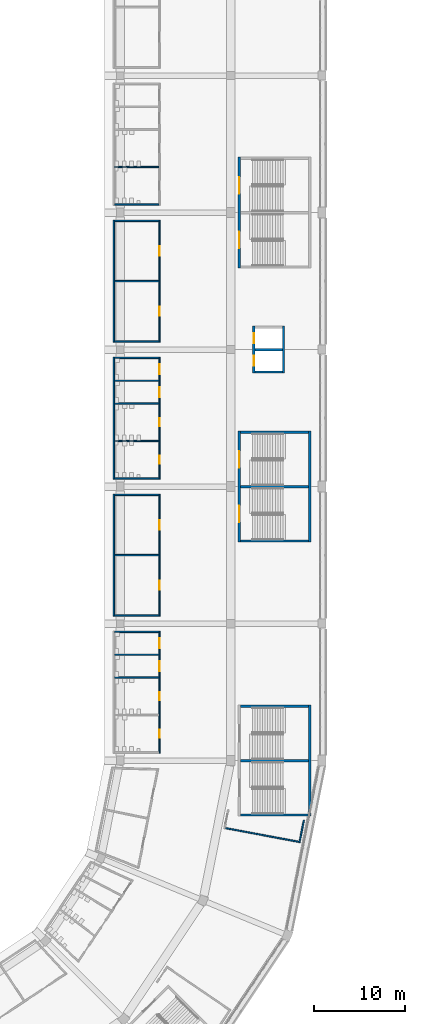
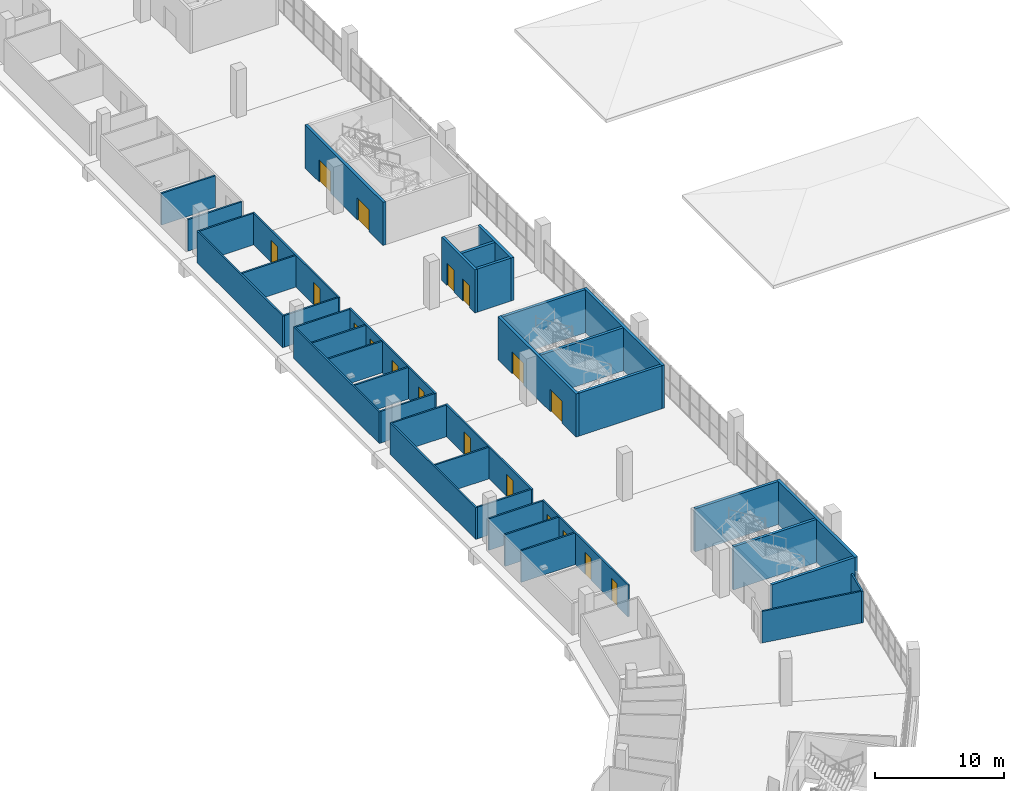
# One storey, part 82 of 199: 39 walls, 18 doors, 18 openings.
"""IFC4 building model written with IfcOpenShell, lengths in metres."""

import ifcopenshell
import ifcopenshell.guid

model = None  # the IFC model being written
_history = None  # IfcOwnerHistory: only IFC2X3 demands one
_inside = {}  # id of a spatial element -> (the spatial element, [elements in it])
_under = {}  # id of a project, library or spatial element -> (it, [spatial elements below it])
_declared = {}  # id of a project -> (the project, [libraries it declares])
_typed = {}  # id of a type object -> (the type object, [elements of that type])
_made_of = {}  # id of a material, layer set ... -> (it, [elements and type objects made of it])


def new_model(schema):
    """Start an empty IFC model of exactly this schema.

    Asked for "IFC4X3", IfcOpenShell would pick the latest addendum, in which some entities
    have other attributes; the version numbers below select the first issue.
    IFC2X3 requires an IfcOwnerHistory on every rooted entity: one is made here for all.
    """
    global model, _history
    if schema == "IFC4X3":
        model = ifcopenshell.file(schema_version=(4, 3, 0, 0))
    else:
        model = ifcopenshell.file(schema=schema)
    _inside.clear()
    _under.clear()
    _declared.clear()
    _typed.clear()
    _made_of.clear()
    _history = None
    if model.schema == "IFC2X3":
        org = make("IfcOrganization", Name="unknown")
        user = make(
            "IfcPersonAndOrganization",
            ThePerson=make("IfcPerson", FamilyName="unknown"),
            TheOrganization=org,
        )
        app = make(
            "IfcApplication",
            ApplicationDeveloper=org,
            Version="unknown",
            ApplicationFullName="unknown",
            ApplicationIdentifier="unknown",
        )
        _history = make(
            "IfcOwnerHistory",
            OwningUser=user,
            OwningApplication=app,
            ChangeAction="ADDED",
            CreationDate=0,
        )
    return model


def make(cls, **values):
    """One entity of the class cls with the attributes given. An attribute that is None is left unset."""
    return model.create_entity(
        cls, **{name: value for name, value in values.items() if value is not None}
    )


def rooted(cls, **values):
    """An entity with a GlobalId (a new one), such as an element, a storey or a relation."""
    return make(cls, GlobalId=ifcopenshell.guid.new(), OwnerHistory=_history, **values)


def si_unit(unit_type, name, prefix=None):
    """IfcSIUnit, for example si_unit("LENGTHUNIT", "METRE", prefix="MILLI")."""
    return make("IfcSIUnit", UnitType=unit_type, Prefix=prefix, Name=name)


def assignment(units):
    """IfcUnitAssignment: the units of a project."""
    return None if units is None else make("IfcUnitAssignment", Units=units)


def point(xyz):
    """IfcCartesianPoint."""
    return None if xyz is None else make("IfcCartesianPoint", Coordinates=xyz)


def direction(xyz):
    """IfcDirection."""
    return None if xyz is None else make("IfcDirection", DirectionRatios=xyz)


def frame(location, z_axis=None, x_axis=None):
    """IfcAxis2Placement3D, a coordinate frame: its origin and axes. An axis left out is left unset."""
    return make(
        "IfcAxis2Placement3D",
        Location=point(location),
        Axis=direction(z_axis),
        RefDirection=direction(x_axis),
    )


def frame_2d(location, x_axis=None):
    """IfcAxis2Placement2D, a coordinate frame in the plane: its origin and x axis."""
    return make(
        "IfcAxis2Placement2D", Location=point(location), RefDirection=direction(x_axis)
    )


def origin():
    """The frame at (0, 0, 0) with its axes left unset."""
    return frame((0.0, 0.0, 0.0))


def place(relative_to, where):
    """IfcLocalPlacement: puts the frame where relative to a parent placement (None: the world)."""
    return make(
        "IfcLocalPlacement", PlacementRelTo=relative_to, RelativePlacement=where
    )


def context(
    kind, dimensions, precision=None, world=None, true_north=None, identifier=None
):
    """IfcGeometricRepresentationContext, for example the 3D "Model" context."""
    return make(
        "IfcGeometricRepresentationContext",
        ContextIdentifier=identifier,
        ContextType=kind,
        CoordinateSpaceDimension=dimensions,
        Precision=precision,
        WorldCoordinateSystem=world,
        TrueNorth=true_north,
    )


def subcontext(parent, identifier, kind, view, scale=None):
    """IfcGeometricRepresentationSubContext, for example "Body" below "Model"."""
    return make(
        "IfcGeometricRepresentationSubContext",
        ContextIdentifier=identifier,
        ContextType=kind,
        ParentContext=parent,
        TargetScale=scale,
        TargetView=view,
    )


def project(units=None, contexts=None):
    """IfcProject with its units and contexts."""
    return rooted(
        "IfcProject",
        Name="project",
        RepresentationContexts=contexts,
        UnitsInContext=assignment(units),
    )


def spatial(cls, under=None, at=None, **own):
    """A site, building, storey or space (cls), placed at a placement, below another one or the project."""
    s = rooted(cls, ObjectPlacement=at, **own)
    if under is not None:
        _under.setdefault(under.id(), (under, []))[1].append(s)
    return s


def profile(cls, at=None, kind="AREA", **sizes):
    """A parametric profile (cls). Its sizes go by their IFC names, for example OverallWidth=200.0."""
    return make(cls, ProfileType=kind, Position=at, **sizes)


def rectangle(**sizes):
    """IfcRectangleProfileDef."""
    return profile("IfcRectangleProfileDef", **sizes)


def extrude(swept, where, along, depth):
    """IfcExtrudedAreaSolid: the profile swept, set in the frame where, extruded along a direction by depth."""
    return make(
        "IfcExtrudedAreaSolid",
        SweptArea=swept,
        Position=where,
        ExtrudedDirection=direction(along),
        Depth=depth,
    )


def shape(context_of_items, identifier, shape_type, items):
    """IfcShapeRepresentation: the items that make up one representation, for example the "Body"."""
    return make(
        "IfcShapeRepresentation",
        ContextOfItems=context_of_items,
        RepresentationIdentifier=identifier,
        RepresentationType=shape_type,
        Items=items,
    )


def material(Name=None, Category=None):
    """IfcMaterial."""
    return make("IfcMaterial", Name=Name, Category=Category)


def layer(
    of_material, thickness, ventilated=None, Name=None, Category=None, Priority=None
):
    """IfcMaterialLayer: one layer of a wall or slab, of a material (None: an air gap)."""
    return make(
        "IfcMaterialLayer",
        Material=of_material,
        LayerThickness=thickness,
        IsVentilated=ventilated,
        Name=Name,
        Category=Category,
        Priority=Priority,
    )


def layer_set(layers, Name=None):
    """IfcMaterialLayerSet."""
    return make("IfcMaterialLayerSet", MaterialLayers=layers, LayerSetName=Name)


def made_of(thing, what):
    """Note that an element or type object is made of a material, layer set ...; save() writes the relation."""
    if what is not None:
        _made_of.setdefault(what.id(), (what, []))[1].append(thing)
    return thing


def type_object(cls, material=None, **own):
    """A type object (cls), such as IfcWallType, which elements share."""
    return made_of(rooted(cls, **own), material)


def element(
    cls,
    number,
    at=None,
    inside=None,
    cuts=None,
    type_object=None,
    material=None,
    context=None,
    identifier="Body",
    shape_type=None,
    held_by="IfcProductDefinitionShape",
    body=None,
    shapes=None,
    **own,
):
    """One element of the class cls, such as IfcWall. Its Tag is "e" and its number.

    at: its placement. inside: the storey or other place that contains it. cuts: it is an
    opening in that element (IfcRelVoidsElement). A single representation is given by context,
    identifier, shape_type and body (its items); several are given by shapes. held_by: the class
    of the entity that holds the representations. save() writes the other relations.
    """
    e = rooted(cls, Tag="e%d" % number, ObjectPlacement=at, **own)
    if body is not None:
        shapes = [shape(context, identifier, shape_type, body)]
    if shapes is not None:
        e.Representation = make(held_by, Representations=shapes)
    if inside is not None:
        _inside.setdefault(inside.id(), (inside, []))[1].append(e)
    if cuts is not None:
        rooted(
            "IfcRelVoidsElement", RelatingBuildingElement=cuts, RelatedOpeningElement=e
        )
    if type_object is not None:
        _typed.setdefault(type_object.id(), (type_object, []))[1].append(e)
    return made_of(e, material)


def fill(opening, filler):
    """IfcRelFillsElement: the door or window that sits in an opening."""
    return rooted(
        "IfcRelFillsElement",
        RelatingOpeningElement=opening,
        RelatedBuildingElement=filler,
    )


def aggregate(whole, parts):
    """IfcRelAggregates: a whole, such as a stair, and the parts it consists of."""
    return rooted("IfcRelAggregates", RelatingObject=whole, RelatedObjects=parts)


def save(model, path):
    """Write the relations noted so far, then the file.

    IfcRelAggregates (storeys below a building ...), IfcRelContainedInSpatialStructure (elements
    in a storey), IfcRelDefinesByType, IfcRelAssociatesMaterial and IfcRelDeclares: one each for
    every whole, place, type object, material and project.
    """
    for whole, parts in _under.values():
        aggregate(whole, parts)
    for where, things in _inside.values():
        rooted(
            "IfcRelContainedInSpatialStructure",
            RelatedElements=things,
            RelatingStructure=where,
        )
    for kind, things in _typed.values():
        rooted("IfcRelDefinesByType", RelatedObjects=things, RelatingType=kind)
    for what, things in _made_of.values():
        rooted("IfcRelAssociatesMaterial", RelatedObjects=things, RelatingMaterial=what)
    for by, libraries in _declared.values():
        rooted("IfcRelDeclares", RelatingContext=by, RelatedDefinitions=libraries)
    model.write(path)


model = new_model("IFC4")

# Units and contexts
model_context = context("Model", 3, precision=1e-05, world=origin(), true_north=direction((0.0, 1.0)))
body_context = subcontext(model_context, "Body", "Model", "MODEL_VIEW")
ifc_project = project(units=[si_unit("LENGTHUNIT", "METRE"), si_unit("AREAUNIT", "SQUARE_METRE"), si_unit("VOLUMEUNIT", "CUBIC_METRE"), si_unit("PLANEANGLEUNIT", "RADIAN"), si_unit("MASSUNIT", "GRAM", prefix="KILO")], contexts=[model_context])

# Site, building, storey
site_placement = place(None, origin())
site = spatial("IfcSite", under=ifc_project, at=site_placement, CompositionType="ELEMENT")
building_placement = place(site_placement, origin())
building = spatial("IfcBuilding", under=site, at=building_placement, Name="Ogive Plaza Stadium", CompositionType="ELEMENT")
storey_placement = place(building_placement, frame((0.0, 0.0, 4.5)))
storey = spatial("IfcBuildingStorey", under=building, at=storey_placement, Name="L01", CompositionType="ELEMENT", Elevation=4.5)

# Wall
ifc_material_1 = material(Name="Masonry blockwork", Category="masonry")
ifc_layer_1 = layer(ifc_material_1, 0.14990234375)
ifc_layer_set_1 = layer_set([ifc_layer_1], Name="Blockwork wall 150")
wall_type_1 = type_object("IfcWallType", Name="Blockwork wall 150", PredefinedType="SOLIDWALL", material=ifc_layer_set_1)
wall_1_placement = place(storey_placement, frame((61.199951171875, 6.675048828125, 0.0), z_axis=(0.0, 0.0, 1.0), x_axis=(0.0, -1.0, 0.0)))
element("IfcWall", 1, at=wall_1_placement, inside=storey, type_object=wall_type_1, Name="Wall L01 B04", PredefinedType="SOLIDWALL", context=body_context, shape_type="SweptSolid", body=[
    extrude(rectangle(XDim=13.35009765625, YDim=0.14990234375, at=frame_2d((6.675048828125, 0.0))), origin(), (0.0, 0.0, 1.0), 3.0),
])

# Wall, openings, doors
wall_2_placement = place(storey_placement, frame((66.199951171875, 6.675048828125, 0.0), z_axis=(0.0, 0.0, 1.0), x_axis=(0.0, -1.0, 0.0)))
wall_2 = element("IfcWall", 2, at=wall_2_placement, inside=storey, type_object=wall_type_1, Name="Wall L01 B04", PredefinedType="SOLIDWALL", context=body_context, shape_type="SweptSolid", body=[
    extrude(rectangle(XDim=13.35009765625, YDim=0.14990234375, at=frame_2d((6.675048828125, 0.0))), origin(), (0.0, 0.0, 1.0), 3.0),
])
opening_1_placement = place(wall_2_placement, frame((2.875, 0.0, 0.0)))
opening_1 = element("IfcOpeningElement", 3, at=opening_1_placement, cuts=wall_2, Name="Opening D0479", PredefinedType="OPENING", context=body_context, shape_type="SweptSolid", body=[
    extrude(rectangle(XDim=1.0, YDim=2.10009765625, at=frame_2d((0.5, 1.050048828125))), frame((0.0, 0.074951171875, 0.0), z_axis=(0.0, -1.0, 0.0), x_axis=(1.0, 0.0, 0.0)), (0.0, 0.0, 1.0), 0.14990234375),
])
opening_2_placement = place(wall_2_placement, frame((9.47509765625, 0.0, 0.0)))
opening_2 = element("IfcOpeningElement", 4, at=opening_2_placement, cuts=wall_2, Name="Opening D0480", PredefinedType="OPENING", context=body_context, shape_type="SweptSolid", body=[
    extrude(rectangle(XDim=1.0, YDim=2.10009765625, at=frame_2d((0.5, 1.050048828125))), frame((0.0, 0.074951171875, 0.0), z_axis=(0.0, -1.0, 0.0), x_axis=(1.0, 0.0, 0.0)), (0.0, 0.0, 1.0), 0.14990234375),
])
ifc_material_2 = material(Name="Steel ASTM A572 Grade 50", Category="steel")
door_type_1 = type_object("IfcDoorType", Name="Door 1000 x 2100", OperationType="SINGLE_SWING_LEFT", PredefinedType="DOOR", material=ifc_material_2)
door_1_placement = place(opening_1_placement, origin())
door_1 = element("IfcDoor", 5, at=door_1_placement, inside=storey, type_object=door_type_1, Name="Club Bar B04 door", OperationType="SINGLE_SWING_RIGHT", OverallHeight=2.10009765625, OverallWidth=1.0, PredefinedType="DOOR", context=body_context, shape_type="SweptSolid", body=[
    extrude(rectangle(XDim=1.0, YDim=2.10009765625, at=frame_2d((0.5, 1.050048828125))), frame((0.0, 0.02490234375, 0.0), z_axis=(0.0, -1.0, 0.0), x_axis=(1.0, 0.0, 0.0)), (0.0, 0.0, 1.0), 0.050048828125),
])
fill(opening_1, door_1)
ifc_material_3 = material(Name="Steel ASTM A572 Grade 50", Category="steel")
door_type_2 = type_object("IfcDoorType", Name="Fire door FD60 1000 x 2100", OperationType="SINGLE_SWING_LEFT", PredefinedType="DOOR", material=ifc_material_3)
door_2_placement = place(opening_2_placement, origin())
door_2 = element("IfcDoor", 6, at=door_2_placement, inside=storey, type_object=door_type_2, Name="Club Kitchen B04 door", OperationType="SINGLE_SWING_LEFT", OverallHeight=2.10009765625, OverallWidth=1.0, PredefinedType="DOOR", context=body_context, shape_type="SweptSolid", body=[
    extrude(rectangle(XDim=1.0, YDim=2.10009765625, at=frame_2d((0.5, 1.050048828125))), frame((0.0, 0.02490234375, 0.0), z_axis=(0.0, -1.0, 0.0), x_axis=(1.0, 0.0, 0.0)), (0.0, 0.0, 1.0), 0.050048828125),
])
fill(opening_2, door_2)

# Walls
for number, where, z_axis, x_axis, name in (
    (7, (61.27490234375, 6.60009765625, 0.0), (0.0, 0.0, 1.0), (1.0, 0.0, 0.0), "Wall L01 B04"),
    (8, (61.27490234375, 0.0, 0.0), (0.0, 0.0, 1.0), (1.0, 0.0, 0.0), "Wall L01 B04"),
    (9, (61.27490234375, -6.60009765625, 0.0), (0.0, 0.0, 1.0), (1.0, 0.0, 0.0), "Wall L01 B04"),
):
    element("IfcWall", number, at=place(storey_placement, frame(where, z_axis=z_axis, x_axis=x_axis)), inside=storey, type_object=wall_type_1, Name=name, PredefinedType="SOLIDWALL", context=body_context, shape_type="SweptSolid", body=[
        extrude(rectangle(XDim=4.85009765625, YDim=0.14990234375, at=frame_2d((2.425048828125, 0.0))), origin(), (0.0, 0.0, 1.0), 3.0),
    ])
wall_3_placement = place(storey_placement, frame((61.199951171875, -23.324951171875, 0.0), z_axis=(0.0, 0.0, 1.0), x_axis=(0.0, -1.0, 0.0)))
element("IfcWall", 10, at=wall_3_placement, inside=storey, type_object=wall_type_1, Name="Wall L01 B06", PredefinedType="SOLIDWALL", context=body_context, shape_type="SweptSolid", body=[
    extrude(rectangle(XDim=13.35009765625, YDim=0.14990234375, at=frame_2d((6.675048828125, 0.0))), origin(), (0.0, 0.0, 1.0), 3.0),
])

# Wall, openings, doors
wall_4_placement = place(storey_placement, frame((66.199951171875, -23.324951171875, 0.0), z_axis=(0.0, 0.0, 1.0), x_axis=(0.0, -1.0, 0.0)))
wall_4 = element("IfcWall", 11, at=wall_4_placement, inside=storey, type_object=wall_type_1, Name="Wall L01 B06", PredefinedType="SOLIDWALL", context=body_context, shape_type="SweptSolid", body=[
    extrude(rectangle(XDim=13.35009765625, YDim=0.14990234375, at=frame_2d((6.675048828125, 0.0))), origin(), (0.0, 0.0, 1.0), 3.0),
])
opening_3_placement = place(wall_4_placement, frame((2.875, 0.0, 0.0)))
opening_3 = element("IfcOpeningElement", 12, at=opening_3_placement, cuts=wall_4, Name="Opening D0485", PredefinedType="OPENING", context=body_context, shape_type="SweptSolid", body=[
    extrude(rectangle(XDim=1.0, YDim=2.10009765625, at=frame_2d((0.5, 1.050048828125))), frame((0.0, 0.074951171875, 0.0), z_axis=(0.0, -1.0, 0.0), x_axis=(1.0, 0.0, 0.0)), (0.0, 0.0, 1.0), 0.14990234375),
])
opening_4_placement = place(wall_4_placement, frame((9.47509765625, 0.0, 0.0)))
opening_4 = element("IfcOpeningElement", 13, at=opening_4_placement, cuts=wall_4, Name="Opening D0486", PredefinedType="OPENING", context=body_context, shape_type="SweptSolid", body=[
    extrude(rectangle(XDim=1.0, YDim=2.10009765625, at=frame_2d((0.5, 1.050048828125))), frame((0.0, 0.074951171875, 0.0), z_axis=(0.0, -1.0, 0.0), x_axis=(1.0, 0.0, 0.0)), (0.0, 0.0, 1.0), 0.14990234375),
])
door_3_placement = place(opening_3_placement, origin())
door_3 = element("IfcDoor", 14, at=door_3_placement, inside=storey, type_object=door_type_1, Name="Club Bar B06 door", OperationType="SINGLE_SWING_RIGHT", OverallHeight=2.10009765625, OverallWidth=1.0, PredefinedType="DOOR", context=body_context, shape_type="SweptSolid", body=[
    extrude(rectangle(XDim=1.0, YDim=2.10009765625, at=frame_2d((0.5, 1.050048828125))), frame((0.0, 0.02490234375, 0.0), z_axis=(0.0, -1.0, 0.0), x_axis=(1.0, 0.0, 0.0)), (0.0, 0.0, 1.0), 0.050048828125),
])
fill(opening_3, door_3)
door_4_placement = place(opening_4_placement, origin())
door_4 = element("IfcDoor", 15, at=door_4_placement, inside=storey, type_object=door_type_2, Name="Club Kitchen B06 door", OperationType="SINGLE_SWING_LEFT", OverallHeight=2.10009765625, OverallWidth=1.0, PredefinedType="DOOR", context=body_context, shape_type="SweptSolid", body=[
    extrude(rectangle(XDim=1.0, YDim=2.10009765625, at=frame_2d((0.5, 1.050048828125))), frame((0.0, 0.02490234375, 0.0), z_axis=(0.0, -1.0, 0.0), x_axis=(1.0, 0.0, 0.0)), (0.0, 0.0, 1.0), 0.050048828125),
])
fill(opening_4, door_4)

# Walls
for number, where, z_axis, x_axis, name in (
    (16, (61.27490234375, -23.39990234375, 0.0), (0.0, 0.0, 1.0), (1.0, 0.0, 0.0), "Wall L01 B06"),
    (17, (61.27490234375, -30.0, 0.0), (0.0, 0.0, 1.0), (1.0, 0.0, 0.0), "Wall L01 B06"),
    (18, (61.27490234375, -36.60009765625, 0.0), (0.0, 0.0, 1.0), (1.0, 0.0, 0.0), "Wall L01 B06"),
):
    element("IfcWall", number, at=place(storey_placement, frame(where, z_axis=z_axis, x_axis=x_axis)), inside=storey, type_object=wall_type_1, Name=name, PredefinedType="SOLIDWALL", context=body_context, shape_type="SweptSolid", body=[
        extrude(rectangle(XDim=4.85009765625, YDim=0.14990234375, at=frame_2d((2.425048828125, 0.0))), origin(), (0.0, 0.0, 1.0), 3.0),
    ])
wall_5_placement = place(storey_placement, frame((82.0029296875, -59.020263671875, 0.0), z_axis=(0.0, 0.0, 1.0), x_axis=(-0.195032666665, -0.980796747004, 0.0)))
element("IfcWall", 19, at=wall_5_placement, inside=storey, type_object=wall_type_1, Name="Wall L01 B08", PredefinedType="SOLIDWALL", context=body_context, shape_type="SweptSolid", body=[
    extrude(rectangle(XDim=2.513671875, YDim=0.14990234375, at=frame_2d((1.2568359375, 0.0))), origin(), (0.0, 0.0, 1.0), 3.0),
])
wall_6_placement = place(storey_placement, frame((73.40625, -59.88330078125, 0.0), z_axis=(0.0, 0.0, 1.0), x_axis=(0.982896138411, -0.184160747979, 0.0)))
element("IfcWall", 20, at=wall_6_placement, inside=storey, type_object=wall_type_1, Name="Wall L01 B08", PredefinedType="SOLIDWALL", context=body_context, shape_type="SweptSolid", body=[
    extrude(rectangle(XDim=8.190185546875, YDim=0.14990234375, at=frame_2d((4.09521484375, 0.0))), origin(), (0.0, 0.0, 1.0), 3.0),
])

# Wall, openings, doors
ifc_material_4 = material(Name="Concrete C40/50", Category="concrete")
ifc_layer_2 = layer(ifc_material_4, 0.25)
ifc_layer_set_2 = layer_set([ifc_layer_2], Name="Concrete C40/50")
wall_type_2 = type_object("IfcWallType", Name="Core wall 250", PredefinedType="SHEAR", material=ifc_layer_set_2)
wall_7_placement = place(storey_placement, frame((74.925048828125, 1.425048828125, 0.0), z_axis=(0.0, 0.0, 1.0), x_axis=(0.0, 1.0, 0.0)))
wall_7 = element("IfcWall", 21, at=wall_7_placement, inside=storey, type_object=wall_type_2, Name="Stair core R04 inner wall", PredefinedType="SHEAR", context=body_context, shape_type="SweptSolid", body=[
    extrude(rectangle(XDim=12.14990234375, YDim=0.25, at=frame_2d((6.074951171875, 0.0))), origin(), (0.0, 0.0, 1.0), 4.090087890625),
])
opening_5_placement = place(wall_7_placement, frame((2.199951171875, 0.0, 0.0)))
opening_5 = element("IfcOpeningElement", 22, at=opening_5_placement, cuts=wall_7, Name="Opening D0057", PredefinedType="OPENING", context=body_context, shape_type="SweptSolid", body=[
    extrude(rectangle(XDim=1.800048828125, YDim=2.10009765625, at=frame_2d((0.89990234375, 1.050048828125))), frame((0.0, 0.125, 0.0), z_axis=(0.0, -1.0, 0.0), x_axis=(1.0, 0.0, 0.0)), (0.0, 0.0, 1.0), 0.25),
])
opening_6_placement = place(wall_7_placement, frame((8.14990234375, 0.0, 0.0)))
opening_6 = element("IfcOpeningElement", 23, at=opening_6_placement, cuts=wall_7, Name="Opening D0058", PredefinedType="OPENING", context=body_context, shape_type="SweptSolid", body=[
    extrude(rectangle(XDim=1.800048828125, YDim=2.10009765625, at=frame_2d((0.89990234375, 1.050048828125))), frame((0.0, 0.125, 0.0), z_axis=(0.0, -1.0, 0.0), x_axis=(1.0, 0.0, 0.0)), (0.0, 0.0, 1.0), 0.25),
])
ifc_material_5 = material(Name="Steel ASTM A572 Grade 50", Category="steel")
door_type_3 = type_object("IfcDoorType", Name="Fire door FD90 pair 1800 x 2100", OperationType="DOUBLE_DOOR_SINGLE_SWING", PredefinedType="DOOR", material=ifc_material_5)
door_5_placement = place(opening_5_placement, origin())
door_5 = element("IfcDoor", 24, at=door_5_placement, inside=storey, type_object=door_type_3, Name="Exit stair R04A door L01", OperationType="DOUBLE_DOOR_SINGLE_SWING", OverallHeight=2.10009765625, OverallWidth=1.800048828125, PredefinedType="DOOR", context=body_context, shape_type="SweptSolid", body=[
    extrude(rectangle(XDim=1.800048828125, YDim=2.10009765625, at=frame_2d((0.89990234375, 1.050048828125))), frame((0.0, 0.02490234375, 0.0), z_axis=(0.0, -1.0, 0.0), x_axis=(1.0, 0.0, 0.0)), (0.0, 0.0, 1.0), 0.050048828125),
])
fill(opening_5, door_5)
door_6_placement = place(opening_6_placement, origin())
door_6 = element("IfcDoor", 25, at=door_6_placement, inside=storey, type_object=door_type_3, Name="Exit stair R04B door L01", OperationType="DOUBLE_DOOR_SINGLE_SWING", OverallHeight=2.10009765625, OverallWidth=1.800048828125, PredefinedType="DOOR", context=body_context, shape_type="SweptSolid", body=[
    extrude(rectangle(XDim=1.800048828125, YDim=2.10009765625, at=frame_2d((0.89990234375, 1.050048828125))), frame((0.0, 0.02490234375, 0.0), z_axis=(0.0, -1.0, 0.0), x_axis=(1.0, 0.0, 0.0)), (0.0, 0.0, 1.0), 0.050048828125),
])
fill(opening_6, door_6)

wall_8_placement = place(storey_placement, frame((74.925048828125, -28.574951171875, 0.0), z_axis=(0.0, 0.0, 1.0), x_axis=(0.0, 1.0, 0.0)))
wall_8 = element("IfcWall", 26, at=wall_8_placement, inside=storey, type_object=wall_type_2, Name="Stair core R06 inner wall", PredefinedType="SHEAR", context=body_context, shape_type="SweptSolid", body=[
    extrude(rectangle(XDim=12.14990234375, YDim=0.25, at=frame_2d((6.074951171875, 0.0))), origin(), (0.0, 0.0, 1.0), 4.090087890625),
])
opening_7_placement = place(wall_8_placement, frame((2.199951171875, 0.0, 0.0)))
opening_7 = element("IfcOpeningElement", 27, at=opening_7_placement, cuts=wall_8, Name="Opening D0071", PredefinedType="OPENING", context=body_context, shape_type="SweptSolid", body=[
    extrude(rectangle(XDim=1.800048828125, YDim=2.10009765625, at=frame_2d((0.89990234375, 1.050048828125))), frame((0.0, 0.125, 0.0), z_axis=(0.0, -1.0, 0.0), x_axis=(1.0, 0.0, 0.0)), (0.0, 0.0, 1.0), 0.25),
])
opening_8_placement = place(wall_8_placement, frame((8.14990234375, 0.0, 0.0)))
opening_8 = element("IfcOpeningElement", 28, at=opening_8_placement, cuts=wall_8, Name="Opening D0072", PredefinedType="OPENING", context=body_context, shape_type="SweptSolid", body=[
    extrude(rectangle(XDim=1.800048828125, YDim=2.10009765625, at=frame_2d((0.89990234375, 1.050048828125))), frame((0.0, 0.125, 0.0), z_axis=(0.0, -1.0, 0.0), x_axis=(1.0, 0.0, 0.0)), (0.0, 0.0, 1.0), 0.25),
])
door_7_placement = place(opening_7_placement, origin())
door_7 = element("IfcDoor", 29, at=door_7_placement, inside=storey, type_object=door_type_3, Name="Exit stair R06A door L01", OperationType="DOUBLE_DOOR_SINGLE_SWING", OverallHeight=2.10009765625, OverallWidth=1.800048828125, PredefinedType="DOOR", context=body_context, shape_type="SweptSolid", body=[
    extrude(rectangle(XDim=1.800048828125, YDim=2.10009765625, at=frame_2d((0.89990234375, 1.050048828125))), frame((0.0, 0.02490234375, 0.0), z_axis=(0.0, -1.0, 0.0), x_axis=(1.0, 0.0, 0.0)), (0.0, 0.0, 1.0), 0.050048828125),
])
fill(opening_7, door_7)
door_8_placement = place(opening_8_placement, origin())
door_8 = element("IfcDoor", 30, at=door_8_placement, inside=storey, type_object=door_type_3, Name="Exit stair R06B door L01", OperationType="DOUBLE_DOOR_SINGLE_SWING", OverallHeight=2.10009765625, OverallWidth=1.800048828125, PredefinedType="DOOR", context=body_context, shape_type="SweptSolid", body=[
    extrude(rectangle(XDim=1.800048828125, YDim=2.10009765625, at=frame_2d((0.89990234375, 1.050048828125))), frame((0.0, 0.02490234375, 0.0), z_axis=(0.0, -1.0, 0.0), x_axis=(1.0, 0.0, 0.0)), (0.0, 0.0, 1.0), 0.050048828125),
])
fill(opening_8, door_8)

# Walls
wall_9_placement = place(storey_placement, frame((82.635009765625, -28.574951171875, 0.0), z_axis=(0.0, 0.0, 1.0), x_axis=(0.0, 1.0, 0.0)))
element("IfcWall", 31, at=wall_9_placement, inside=storey, type_object=wall_type_2, Name="Stair core R06 outer wall", PredefinedType="SHEAR", context=body_context, shape_type="SweptSolid", body=[
    extrude(rectangle(XDim=12.14990234375, YDim=0.25, at=frame_2d((6.074951171875, 0.0))), origin(), (0.0, 0.0, 1.0), 4.090087890625),
])
for number, where, z_axis, x_axis, name in (
    (32, (75.050048828125, -28.449951171875, 0.0), (0.0, 0.0, 1.0), (1.0, 0.0, 0.0), "Stair core R06 side wall"),
    (33, (75.050048828125, -16.550048828125, 0.0), (0.0, 0.0, 1.0), (1.0, 0.0, 0.0), "Stair core R06 side wall"),
    (34, (75.050048828125, -22.5, 0.0), (0.0, 0.0, 1.0), (1.0, 0.0, 0.0), "Stair core R06 centre wall"),
):
    element("IfcWall", number, at=place(storey_placement, frame(where, z_axis=z_axis, x_axis=x_axis)), inside=storey, type_object=wall_type_2, Name=name, PredefinedType="SHEAR", context=body_context, shape_type="SweptSolid", body=[
        extrude(rectangle(XDim=7.4599609375, YDim=0.25, at=frame_2d((3.72998046875, 0.0))), origin(), (0.0, 0.0, 1.0), 4.090087890625),
    ])
wall_10_placement = place(storey_placement, frame((82.635009765625, -58.574951171875, 0.0), z_axis=(0.0, 0.0, 1.0), x_axis=(0.0, 1.0, 0.0)))
element("IfcWall", 35, at=wall_10_placement, inside=storey, type_object=wall_type_2, Name="Stair core R08 outer wall", PredefinedType="SHEAR", context=body_context, shape_type="SweptSolid", body=[
    extrude(rectangle(XDim=12.14990234375, YDim=0.25, at=frame_2d((6.074951171875, 0.0))), origin(), (0.0, 0.0, 1.0), 4.090087890625),
])
for number, where, z_axis, x_axis, name in (
    (36, (75.050048828125, -58.449951171875, 0.0), (0.0, 0.0, 1.0), (1.0, 0.0, 0.0), "Stair core R08 side wall"),
    (37, (75.050048828125, -46.550048828125, 0.0), (0.0, 0.0, 1.0), (1.0, 0.0, 0.0), "Stair core R08 side wall"),
    (38, (75.050048828125, -52.5, 0.0), (0.0, 0.0, 1.0), (1.0, 0.0, 0.0), "Stair core R08 centre wall"),
):
    element("IfcWall", number, at=place(storey_placement, frame(where, z_axis=z_axis, x_axis=x_axis)), inside=storey, type_object=wall_type_2, Name=name, PredefinedType="SHEAR", context=body_context, shape_type="SweptSolid", body=[
        extrude(rectangle(XDim=7.4599609375, YDim=0.25, at=frame_2d((3.72998046875, 0.0))), origin(), (0.0, 0.0, 1.0), 4.090087890625),
    ])

# Wall, openings, doors
wall_11_placement = place(storey_placement, frame((76.52490234375, -10.074951171875, 0.0), z_axis=(0.0, 0.0, 1.0), x_axis=(0.0, 1.0, 0.0)))
wall_11 = element("IfcWall", 39, at=wall_11_placement, inside=storey, type_object=wall_type_2, Name="Lift core LP05 landing wall", PredefinedType="SHEAR", context=body_context, shape_type="SweptSolid", body=[
    extrude(rectangle(XDim=5.14990234375, YDim=0.25, at=frame_2d((2.574951171875, 0.0))), origin(), (0.0, 0.0, 1.0), 4.090087890625),
])
opening_9_placement = place(wall_11_placement, frame((0.800048828125, 0.0, 0.0)))
opening_9 = element("IfcOpeningElement", 40, at=opening_9_placement, cuts=wall_11, Name="Opening LD011", PredefinedType="OPENING", context=body_context, shape_type="SweptSolid", body=[
    extrude(rectangle(XDim=1.10009765625, YDim=2.10009765625, at=frame_2d((0.550048828125, 1.050048828125))), frame((0.0, 0.125, 0.0), z_axis=(0.0, -1.0, 0.0), x_axis=(1.0, 0.0, 0.0)), (0.0, 0.0, 1.0), 0.25),
])
opening_10_placement = place(wall_11_placement, frame((3.25, 0.0, 0.0)))
opening_10 = element("IfcOpeningElement", 41, at=opening_10_placement, cuts=wall_11, Name="Opening LD012", PredefinedType="OPENING", context=body_context, shape_type="SweptSolid", body=[
    extrude(rectangle(XDim=1.10009765625, YDim=2.10009765625, at=frame_2d((0.550048828125, 1.050048828125))), frame((0.0, 0.125, 0.0), z_axis=(0.0, -1.0, 0.0), x_axis=(1.0, 0.0, 0.0)), (0.0, 0.0, 1.0), 0.25),
])
ifc_material_6 = material(Name="Steel ASTM A572 Grade 50", Category="steel")
door_type_4 = type_object("IfcDoorType", Name="Landing door 1100 x 2100", OperationType="SLIDING_TO_LEFT", PredefinedType="DOOR", material=ifc_material_6)
door_9_placement = place(opening_9_placement, origin())
door_9 = element("IfcDoor", 42, at=door_9_placement, inside=storey, type_object=door_type_4, Name="Lift landing door LP05 L01", OperationType="SLIDING_TO_LEFT", OverallHeight=2.10009765625, OverallWidth=1.10009765625, PredefinedType="DOOR", context=body_context, shape_type="SweptSolid", body=[
    extrude(rectangle(XDim=1.10009765625, YDim=2.10009765625, at=frame_2d((0.550048828125, 1.050048828125))), frame((0.0, 0.02490234375, 0.0), z_axis=(0.0, -1.0, 0.0), x_axis=(1.0, 0.0, 0.0)), (0.0, 0.0, 1.0), 0.050048828125),
])
fill(opening_9, door_9)
door_10_placement = place(opening_10_placement, origin())
door_10 = element("IfcDoor", 43, at=door_10_placement, inside=storey, type_object=door_type_4, Name="Lift landing door LP05 L01", OperationType="SLIDING_TO_LEFT", OverallHeight=2.10009765625, OverallWidth=1.10009765625, PredefinedType="DOOR", context=body_context, shape_type="SweptSolid", body=[
    extrude(rectangle(XDim=1.10009765625, YDim=2.10009765625, at=frame_2d((0.550048828125, 1.050048828125))), frame((0.0, 0.02490234375, 0.0), z_axis=(0.0, -1.0, 0.0), x_axis=(1.0, 0.0, 0.0)), (0.0, 0.0, 1.0), 0.050048828125),
])
fill(opening_10, door_10)

# Walls
wall_12_placement = place(storey_placement, frame((79.77490234375, -10.074951171875, 0.0), z_axis=(0.0, 0.0, 1.0), x_axis=(0.0, 1.0, 0.0)))
element("IfcWall", 44, at=wall_12_placement, inside=storey, type_object=wall_type_2, Name="Lift core LP05 rear wall", PredefinedType="SHEAR", context=body_context, shape_type="SweptSolid", body=[
    extrude(rectangle(XDim=5.14990234375, YDim=0.25, at=frame_2d((2.574951171875, 0.0))), origin(), (0.0, 0.0, 1.0), 4.090087890625),
])
for number, where, z_axis, x_axis, name in (
    (45, (76.64990234375, -9.949951171875, 0.0), (0.0, 0.0, 1.0), (1.0, 0.0, 0.0), "Lift core LP05 side wall"),
    (46, (76.64990234375, -7.5, 0.0), (0.0, 0.0, 1.0), (1.0, 0.0, 0.0), "Lift core LP05 centre wall"),
):
    element("IfcWall", number, at=place(storey_placement, frame(where, z_axis=z_axis, x_axis=x_axis)), inside=storey, type_object=wall_type_2, Name=name, PredefinedType="SHEAR", context=body_context, shape_type="SweptSolid", body=[
        extrude(rectangle(XDim=3.0, YDim=0.25, at=frame_2d((1.5, 0.0))), origin(), (0.0, 0.0, 1.0), 4.090087890625),
    ])
ifc_material_7 = material(Name="Gypsum board partition", Category="gypsum")
ifc_layer_3 = layer(ifc_material_7, 0.14990234375)
ifc_layer_set_3 = layer_set([ifc_layer_3], Name="Partition 150")
wall_type_3 = type_object("IfcWallType", Name="Partition 150", PredefinedType="PARTITIONING", material=ifc_layer_set_3)
for number, where, z_axis, x_axis, name in (
    (47, (61.27490234375, 8.39990234375, 0.0), (0.0, 0.0, 1.0), (1.0, 0.0, 0.0), "Wall L01 B03"),
    (48, (61.27490234375, 12.491943359375, 0.0), (0.0, 0.0, 1.0), (1.0, 0.0, 0.0), "Wall L01 B03"),
):
    element("IfcWall", number, at=place(storey_placement, frame(where, z_axis=z_axis, x_axis=x_axis)), inside=storey, type_object=wall_type_3, Name=name, PredefinedType="PARTITIONING", context=body_context, shape_type="SweptSolid", body=[
        extrude(rectangle(XDim=4.85009765625, YDim=0.14990234375, at=frame_2d((2.425048828125, 0.0))), origin(), (0.0, 0.0, 1.0), 3.0),
    ])
wall_13_placement = place(storey_placement, frame((61.199951171875, -21.675048828125, 0.0), z_axis=(0.0, 0.0, 1.0), x_axis=(0.0, 1.0, 0.0)))
element("IfcWall", 49, at=wall_13_placement, inside=storey, type_object=wall_type_3, Name="Wall L01 B05", PredefinedType="PARTITIONING", context=body_context, shape_type="SweptSolid", body=[
    extrude(rectangle(XDim=13.35009765625, YDim=0.14990234375, at=frame_2d((6.675048828125, 0.0))), origin(), (0.0, 0.0, 1.0), 3.0),
])

# Wall, openings, doors
wall_14_placement = place(storey_placement, frame((66.199951171875, -21.675048828125, 0.0), z_axis=(0.0, 0.0, 1.0), x_axis=(0.0, 1.0, 0.0)))
wall_14 = element("IfcWall", 50, at=wall_14_placement, inside=storey, type_object=wall_type_3, Name="Wall L01 B05", PredefinedType="PARTITIONING", context=body_context, shape_type="SweptSolid", body=[
    extrude(rectangle(XDim=13.35009765625, YDim=0.14990234375, at=frame_2d((6.675048828125, 0.0))), origin(), (0.0, 0.0, 1.0), 3.0),
])
opening_11_placement = place(wall_14_placement, frame((1.6708984375, 0.0, 0.0)))
opening_11 = element("IfcOpeningElement", 51, at=opening_11_placement, cuts=wall_14, Name="Opening D0481", PredefinedType="OPENING", context=body_context, shape_type="SweptSolid", body=[
    extrude(rectangle(XDim=0.89990234375, YDim=2.10009765625, at=frame_2d((0.449951171875, 1.050048828125))), frame((0.0, 0.074951171875, 0.0), z_axis=(0.0, -1.0, 0.0), x_axis=(1.0, 0.0, 0.0)), (0.0, 0.0, 1.0), 0.14990234375),
])
opening_12_placement = place(wall_14_placement, frame((5.762939453125, 0.0, 0.0)))
opening_12 = element("IfcOpeningElement", 52, at=opening_12_placement, cuts=wall_14, Name="Opening D0482", PredefinedType="OPENING", context=body_context, shape_type="SweptSolid", body=[
    extrude(rectangle(XDim=0.89990234375, YDim=2.10009765625, at=frame_2d((0.449951171875, 1.050048828125))), frame((0.0, 0.074951171875, 0.0), z_axis=(0.0, -1.0, 0.0), x_axis=(1.0, 0.0, 0.0)), (0.0, 0.0, 1.0), 0.14990234375),
])
opening_13_placement = place(wall_14_placement, frame((8.962890625, 0.0, 0.0)))
opening_13 = element("IfcOpeningElement", 53, at=opening_13_placement, cuts=wall_14, Name="Opening D0483", PredefinedType="OPENING", context=body_context, shape_type="SweptSolid", body=[
    extrude(rectangle(XDim=1.10009765625, YDim=2.10009765625, at=frame_2d((0.550048828125, 1.050048828125))), frame((0.0, 0.074951171875, 0.0), z_axis=(0.0, -1.0, 0.0), x_axis=(1.0, 0.0, 0.0)), (0.0, 0.0, 1.0), 0.14990234375),
])
opening_14_placement = place(wall_14_placement, frame((11.470947265625, 0.0, 0.0)))
opening_14 = element("IfcOpeningElement", 54, at=opening_14_placement, cuts=wall_14, Name="Opening D0484", PredefinedType="OPENING", context=body_context, shape_type="SweptSolid", body=[
    extrude(rectangle(XDim=1.10009765625, YDim=2.10009765625, at=frame_2d((0.550048828125, 1.050048828125))), frame((0.0, 0.074951171875, 0.0), z_axis=(0.0, -1.0, 0.0), x_axis=(1.0, 0.0, 0.0)), (0.0, 0.0, 1.0), 0.14990234375),
])
ifc_material_8 = material(Name="Steel ASTM A572 Grade 50", Category="steel")
door_type_5 = type_object("IfcDoorType", Name="Accessible door 1100 x 2100", OperationType="SINGLE_SWING_LEFT", PredefinedType="DOOR", material=ifc_material_8)
door_11_placement = place(opening_13_placement, origin())
door_11 = element("IfcDoor", 55, at=door_11_placement, inside=storey, type_object=door_type_5, Name="Accessible WC B05 door", OperationType="SINGLE_SWING_LEFT", OverallHeight=2.10009765625, OverallWidth=1.10009765625, PredefinedType="DOOR", context=body_context, shape_type="SweptSolid", body=[
    extrude(rectangle(XDim=1.10009765625, YDim=2.10009765625, at=frame_2d((0.550048828125, 1.050048828125))), frame((0.0, 0.02490234375, 0.0), z_axis=(0.0, -1.0, 0.0), x_axis=(1.0, 0.0, 0.0)), (0.0, 0.0, 1.0), 0.050048828125),
])
fill(opening_13, door_11)
door_12_placement = place(opening_14_placement, origin())
door_12 = element("IfcDoor", 56, at=door_12_placement, inside=storey, type_object=door_type_5, Name="Family WC B05 door", OperationType="SINGLE_SWING_RIGHT", OverallHeight=2.10009765625, OverallWidth=1.10009765625, PredefinedType="DOOR", context=body_context, shape_type="SweptSolid", body=[
    extrude(rectangle(XDim=1.10009765625, YDim=2.10009765625, at=frame_2d((0.550048828125, 1.050048828125))), frame((0.0, 0.02490234375, 0.0), z_axis=(0.0, -1.0, 0.0), x_axis=(1.0, 0.0, 0.0)), (0.0, 0.0, 1.0), 0.050048828125),
])
fill(opening_14, door_12)
ifc_material_9 = material(Name="Steel ASTM A572 Grade 50", Category="steel")
door_type_6 = type_object("IfcDoorType", Name="Door 900 x 2100", OperationType="SINGLE_SWING_LEFT", PredefinedType="DOOR", material=ifc_material_9)
door_13_placement = place(opening_11_placement, origin())
door_13 = element("IfcDoor", 57, at=door_13_placement, inside=storey, type_object=door_type_6, Name="Men's Toilet B05 door", OperationType="SINGLE_SWING_LEFT", OverallHeight=2.10009765625, OverallWidth=0.89990234375, PredefinedType="DOOR", context=body_context, shape_type="SweptSolid", body=[
    extrude(rectangle(XDim=0.89990234375, YDim=2.10009765625, at=frame_2d((0.449951171875, 1.050048828125))), frame((0.0, 0.02490234375, 0.0), z_axis=(0.0, -1.0, 0.0), x_axis=(1.0, 0.0, 0.0)), (0.0, 0.0, 1.0), 0.050048828125),
])
fill(opening_11, door_13)
door_14_placement = place(opening_12_placement, origin())
door_14 = element("IfcDoor", 58, at=door_14_placement, inside=storey, type_object=door_type_6, Name="Women's Toilet B05 door", OperationType="SINGLE_SWING_RIGHT", OverallHeight=2.10009765625, OverallWidth=0.89990234375, PredefinedType="DOOR", context=body_context, shape_type="SweptSolid", body=[
    extrude(rectangle(XDim=0.89990234375, YDim=2.10009765625, at=frame_2d((0.449951171875, 1.050048828125))), frame((0.0, 0.02490234375, 0.0), z_axis=(0.0, -1.0, 0.0), x_axis=(1.0, 0.0, 0.0)), (0.0, 0.0, 1.0), 0.050048828125),
])
fill(opening_12, door_14)

# Walls
for number, where, z_axis, x_axis, name in (
    (59, (61.27490234375, -21.60009765625, 0.0), (0.0, 0.0, 1.0), (1.0, 0.0, 0.0), "Wall L01 B05"),
    (60, (61.27490234375, -17.508056640625, 0.0), (0.0, 0.0, 1.0), (1.0, 0.0, 0.0), "Wall L01 B05"),
    (61, (61.27490234375, -13.416015625, 0.0), (0.0, 0.0, 1.0), (1.0, 0.0, 0.0), "Wall L01 B05"),
    (62, (61.27490234375, -10.907958984375, 0.0), (0.0, 0.0, 1.0), (1.0, 0.0, 0.0), "Wall L01 B05"),
    (63, (61.27490234375, -8.39990234375, 0.0), (0.0, 0.0, 1.0), (1.0, 0.0, 0.0), "Wall L01 B05"),
):
    element("IfcWall", number, at=place(storey_placement, frame(where, z_axis=z_axis, x_axis=x_axis)), inside=storey, type_object=wall_type_3, Name=name, PredefinedType="PARTITIONING", context=body_context, shape_type="SweptSolid", body=[
        extrude(rectangle(XDim=4.85009765625, YDim=0.14990234375, at=frame_2d((2.425048828125, 0.0))), origin(), (0.0, 0.0, 1.0), 3.0),
    ])

# Wall, openings, doors
wall_15_placement = place(storey_placement, frame((66.199951171875, -51.675048828125, 0.0), z_axis=(0.0, 0.0, 1.0), x_axis=(0.0, 1.0, 0.0)))
wall_15 = element("IfcWall", 64, at=wall_15_placement, inside=storey, type_object=wall_type_3, Name="Wall L01 B07", PredefinedType="PARTITIONING", context=body_context, shape_type="SweptSolid", body=[
    extrude(rectangle(XDim=13.35009765625, YDim=0.14990234375, at=frame_2d((6.675048828125, 0.0))), origin(), (0.0, 0.0, 1.0), 3.0),
])
opening_15_placement = place(wall_15_placement, frame((1.6708984375, 0.0, 0.0)))
opening_15 = element("IfcOpeningElement", 65, at=opening_15_placement, cuts=wall_15, Name="Opening D0487", PredefinedType="OPENING", context=body_context, shape_type="SweptSolid", body=[
    extrude(rectangle(XDim=0.89990234375, YDim=2.10009765625, at=frame_2d((0.449951171875, 1.050048828125))), frame((0.0, 0.074951171875, 0.0), z_axis=(0.0, -1.0, 0.0), x_axis=(1.0, 0.0, 0.0)), (0.0, 0.0, 1.0), 0.14990234375),
])
opening_16_placement = place(wall_15_placement, frame((5.762939453125, 0.0, 0.0)))
opening_16 = element("IfcOpeningElement", 66, at=opening_16_placement, cuts=wall_15, Name="Opening D0488", PredefinedType="OPENING", context=body_context, shape_type="SweptSolid", body=[
    extrude(rectangle(XDim=0.89990234375, YDim=2.10009765625, at=frame_2d((0.449951171875, 1.050048828125))), frame((0.0, 0.074951171875, 0.0), z_axis=(0.0, -1.0, 0.0), x_axis=(1.0, 0.0, 0.0)), (0.0, 0.0, 1.0), 0.14990234375),
])
opening_17_placement = place(wall_15_placement, frame((8.962890625, 0.0, 0.0)))
opening_17 = element("IfcOpeningElement", 67, at=opening_17_placement, cuts=wall_15, Name="Opening D0489", PredefinedType="OPENING", context=body_context, shape_type="SweptSolid", body=[
    extrude(rectangle(XDim=1.10009765625, YDim=2.10009765625, at=frame_2d((0.550048828125, 1.050048828125))), frame((0.0, 0.074951171875, 0.0), z_axis=(0.0, -1.0, 0.0), x_axis=(1.0, 0.0, 0.0)), (0.0, 0.0, 1.0), 0.14990234375),
])
opening_18_placement = place(wall_15_placement, frame((11.470947265625, 0.0, 0.0)))
opening_18 = element("IfcOpeningElement", 68, at=opening_18_placement, cuts=wall_15, Name="Opening D0490", PredefinedType="OPENING", context=body_context, shape_type="SweptSolid", body=[
    extrude(rectangle(XDim=1.10009765625, YDim=2.10009765625, at=frame_2d((0.550048828125, 1.050048828125))), frame((0.0, 0.074951171875, 0.0), z_axis=(0.0, -1.0, 0.0), x_axis=(1.0, 0.0, 0.0)), (0.0, 0.0, 1.0), 0.14990234375),
])
door_15_placement = place(opening_17_placement, origin())
door_15 = element("IfcDoor", 69, at=door_15_placement, inside=storey, type_object=door_type_5, Name="Accessible WC B07 door", OperationType="SINGLE_SWING_LEFT", OverallHeight=2.10009765625, OverallWidth=1.10009765625, PredefinedType="DOOR", context=body_context, shape_type="SweptSolid", body=[
    extrude(rectangle(XDim=1.10009765625, YDim=2.10009765625, at=frame_2d((0.550048828125, 1.050048828125))), frame((0.0, 0.02490234375, 0.0), z_axis=(0.0, -1.0, 0.0), x_axis=(1.0, 0.0, 0.0)), (0.0, 0.0, 1.0), 0.050048828125),
])
fill(opening_17, door_15)
door_16_placement = place(opening_18_placement, origin())
door_16 = element("IfcDoor", 70, at=door_16_placement, inside=storey, type_object=door_type_5, Name="Family WC B07 door", OperationType="SINGLE_SWING_RIGHT", OverallHeight=2.10009765625, OverallWidth=1.10009765625, PredefinedType="DOOR", context=body_context, shape_type="SweptSolid", body=[
    extrude(rectangle(XDim=1.10009765625, YDim=2.10009765625, at=frame_2d((0.550048828125, 1.050048828125))), frame((0.0, 0.02490234375, 0.0), z_axis=(0.0, -1.0, 0.0), x_axis=(1.0, 0.0, 0.0)), (0.0, 0.0, 1.0), 0.050048828125),
])
fill(opening_18, door_16)
door_17_placement = place(opening_15_placement, origin())
door_17 = element("IfcDoor", 71, at=door_17_placement, inside=storey, type_object=door_type_6, Name="Men's Toilet B07 door", OperationType="SINGLE_SWING_LEFT", OverallHeight=2.10009765625, OverallWidth=0.89990234375, PredefinedType="DOOR", context=body_context, shape_type="SweptSolid", body=[
    extrude(rectangle(XDim=0.89990234375, YDim=2.10009765625, at=frame_2d((0.449951171875, 1.050048828125))), frame((0.0, 0.02490234375, 0.0), z_axis=(0.0, -1.0, 0.0), x_axis=(1.0, 0.0, 0.0)), (0.0, 0.0, 1.0), 0.050048828125),
])
fill(opening_15, door_17)
door_18_placement = place(opening_16_placement, origin())
door_18 = element("IfcDoor", 72, at=door_18_placement, inside=storey, type_object=door_type_6, Name="Women's Toilet B07 door", OperationType="SINGLE_SWING_RIGHT", OverallHeight=2.10009765625, OverallWidth=0.89990234375, PredefinedType="DOOR", context=body_context, shape_type="SweptSolid", body=[
    extrude(rectangle(XDim=0.89990234375, YDim=2.10009765625, at=frame_2d((0.449951171875, 1.050048828125))), frame((0.0, 0.02490234375, 0.0), z_axis=(0.0, -1.0, 0.0), x_axis=(1.0, 0.0, 0.0)), (0.0, 0.0, 1.0), 0.050048828125),
])
fill(opening_16, door_18)

# Walls
for number, where, z_axis, x_axis, name in (
    (73, (61.27490234375, -43.416015625, 0.0), (0.0, 0.0, 1.0), (1.0, 0.0, 0.0), "Wall L01 B07"),
    (74, (61.27490234375, -40.907958984375, 0.0), (0.0, 0.0, 1.0), (1.0, 0.0, 0.0), "Wall L01 B07"),
    (75, (61.27490234375, -38.39990234375, 0.0), (0.0, 0.0, 1.0), (1.0, 0.0, 0.0), "Wall L01 B07"),
):
    element("IfcWall", number, at=place(storey_placement, frame(where, z_axis=z_axis, x_axis=x_axis)), inside=storey, type_object=wall_type_3, Name=name, PredefinedType="PARTITIONING", context=body_context, shape_type="SweptSolid", body=[
        extrude(rectangle(XDim=4.85009765625, YDim=0.14990234375, at=frame_2d((2.425048828125, 0.0))), origin(), (0.0, 0.0, 1.0), 3.0),
    ])

save(model, "model.ifc")
